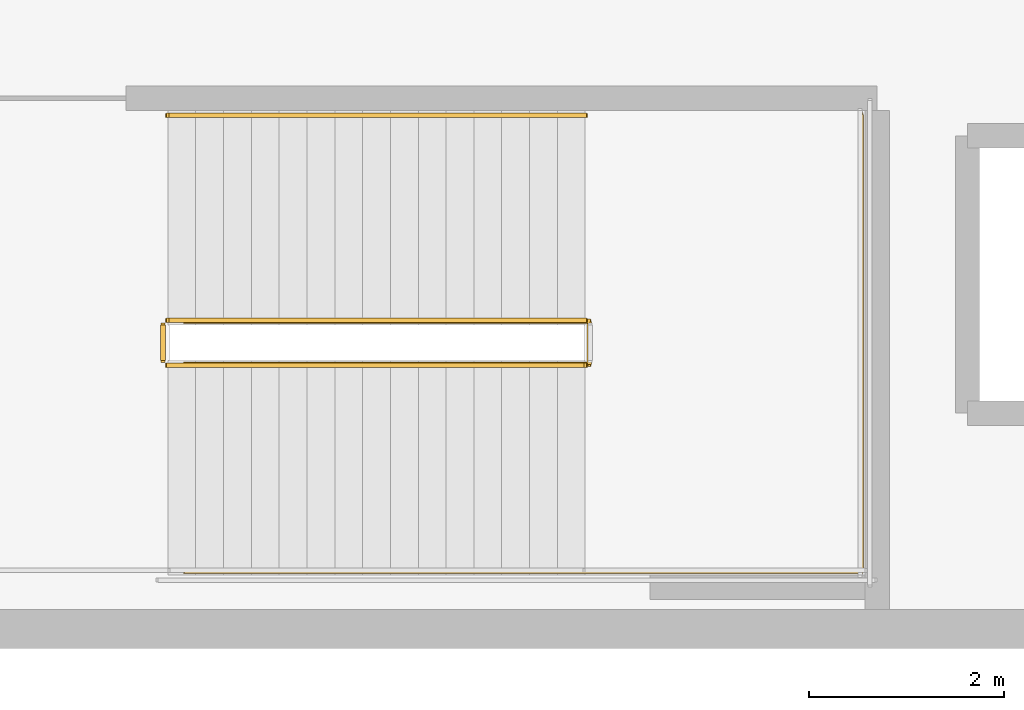
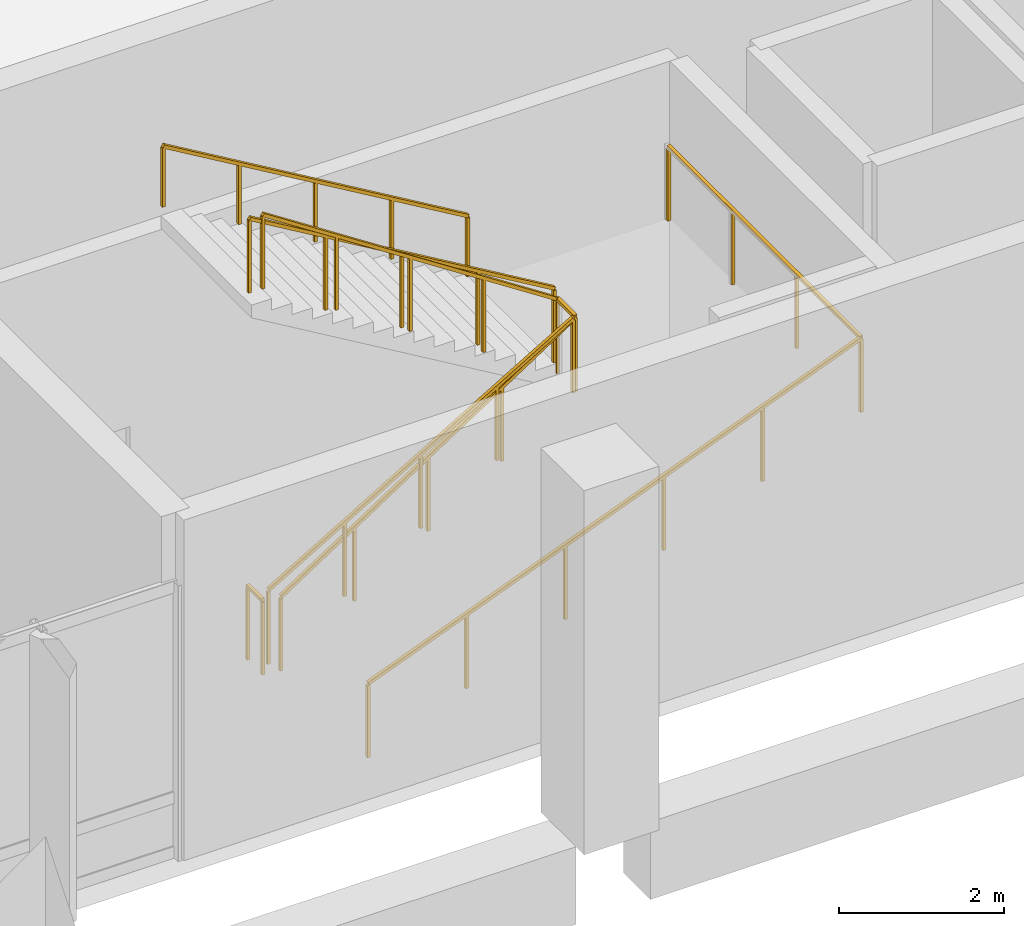
# One storey, part 162 of 176: 6 railings.
"""IFC4 building model written with IfcOpenShell, lengths in metres."""

from ifc_helpers import new_model, si_unit, direction, frame, origin, origin_2d, place, context, subcontext, project, spatial, rectangle, extrude, material, type_object, element, save


model = new_model("IFC4")

# Units and contexts
model_context = context("Model", 3, precision=1e-05, world=origin(), true_north=direction((0.0, 1.0)))
body_context = subcontext(model_context, "Body", "Model", "MODEL_VIEW")
ifc_project = project(units=[si_unit("LENGTHUNIT", "METRE"), si_unit("AREAUNIT", "SQUARE_METRE"), si_unit("VOLUMEUNIT", "CUBIC_METRE"), si_unit("PLANEANGLEUNIT", "RADIAN"), si_unit("MASSUNIT", "GRAM", prefix="KILO")], contexts=[model_context])

# Site, building, storey
site_placement = place(None, origin())
site = spatial("IfcSite", under=ifc_project, at=site_placement, CompositionType="ELEMENT")
building_placement = place(site_placement, origin())
building = spatial("IfcBuilding", under=site, at=building_placement, Name="Khorjan Park Terminus", CompositionType="ELEMENT")
storey_placement = place(building_placement, frame((0.0, 0.0, 6.0)))
storey = spatial("IfcBuildingStorey", under=building, at=storey_placement, Name="L01", CompositionType="ELEMENT", Elevation=6.0)

# Railings
ifc_material = material(Name="Steel S355", Category="steel")
railing_type_1 = type_object("IfcRailingType", Name="GR-112", PredefinedType="GUARDRAIL", material=ifc_material)
railing_1_placement = place(storey_placement, frame((118.06, 30.7, 0.1688)))
element("IfcRailing", 1, at=railing_1_placement, inside=storey, type_object=railing_type_1, Name="L01 ST-02 stair guard 1", PredefinedType="GUARDRAIL", context=body_context, shape_type="SweptSolid", body=[
    extrude(rectangle(XDim=0.048, YDim=0.048, at=origin_2d()), frame((0.0, 0.0, 1.096), z_axis=(0.860479801158, 0.0, 0.509484555015), x_axis=(0.0, 1.0, 0.0)), (0.0, 0.0, 1.0), 4.9682),
    extrude(rectangle(XDim=0.042, YDim=0.042, at=origin_2d()), origin(), (0.0, 0.0, 1.0), 1.072),
    extrude(rectangle(XDim=0.042, YDim=0.042, at=origin_2d()), frame((1.0687, 0.0, 0.6328)), (0.0, 0.0, 1.0), 1.072),
    extrude(rectangle(XDim=0.042, YDim=0.042, at=origin_2d()), frame((2.1375, 0.0, 1.2656)), (0.0, 0.0, 1.0), 1.072),
    extrude(rectangle(XDim=0.042, YDim=0.042, at=origin_2d()), frame((3.2062, 0.0, 1.8984)), (0.0, 0.0, 1.0), 1.072),
    extrude(rectangle(XDim=0.042, YDim=0.042, at=origin_2d()), frame((4.275, 0.0, 2.5312)), (0.0, 0.0, 1.0), 1.072),
])
railing_2_placement = place(storey_placement, frame((122.335, 31.16, 2.8688)))
element("IfcRailing", 2, at=railing_2_placement, inside=storey, type_object=railing_type_1, Name="L01 ST-02 stair guard 5", PredefinedType="GUARDRAIL", context=body_context, shape_type="SweptSolid", body=[
    extrude(rectangle(XDim=0.048, YDim=0.048, at=origin_2d()), frame((0.0, 0.0, 1.096), z_axis=(-0.860479801158, 0.0, 0.509484555015), x_axis=(0.0, -1.0, 0.0)), (0.0, 0.0, 1.0), 4.9682),
    extrude(rectangle(XDim=0.042, YDim=0.042, at=origin_2d()), origin(), (0.0, 0.0, 1.0), 1.072),
    extrude(rectangle(XDim=0.042, YDim=0.042, at=origin_2d()), frame((-1.0687, 0.0, 0.6328)), (0.0, 0.0, 1.0), 1.072),
    extrude(rectangle(XDim=0.042, YDim=0.042, at=origin_2d()), frame((-2.1375, 0.0, 1.2656)), (0.0, 0.0, 1.0), 1.072),
    extrude(rectangle(XDim=0.042, YDim=0.042, at=origin_2d()), frame((-3.2062, 0.0, 1.8984)), (0.0, 0.0, 1.0), 1.072),
    extrude(rectangle(XDim=0.042, YDim=0.042, at=origin_2d()), frame((-4.275, 0.0, 2.5312)), (0.0, 0.0, 1.0), 1.072),
])
railing_3_placement = place(storey_placement, frame((118.01, 30.75, 0.0)))
element("IfcRailing", 3, at=railing_3_placement, inside=storey, type_object=railing_type_1, Name="L01 ST-02 stair guard 6", PredefinedType="GUARDRAIL", context=body_context, shape_type="SweptSolid", body=[
    extrude(rectangle(XDim=0.048, YDim=0.048, at=origin_2d()), frame((0.0, 0.0, 1.096), z_axis=(0.0, 1.0, 0.0), x_axis=(-1.0, 0.0, 0.0)), (0.0, 0.0, 1.0), 0.36),
    extrude(rectangle(XDim=0.042, YDim=0.042, at=origin_2d()), origin(), (0.0, 0.0, 1.0), 1.072),
    extrude(rectangle(XDim=0.042, YDim=0.042, at=origin_2d()), frame((0.0, 0.36, 0.0)), (0.0, 0.0, 1.0), 1.072),
])
railing_4_placement = place(storey_placement, frame((118.24, 30.71, 0.0)))
element("IfcRailing", 4, at=railing_4_placement, inside=storey, type_object=railing_type_1, Name="Core K2 stair well slot guard GR-112 (L01)", PredefinedType="GUARDRAIL", context=body_context, shape_type="SweptSolid", body=[
    extrude(rectangle(XDim=0.048, YDim=0.048, at=origin_2d()), frame((0.0, 0.0, 1.096), z_axis=(0.837308340656, 0.0, 0.546730960041), x_axis=(0.0, 1.0, 0.0)), (0.0, 0.0, 1.0), 4.9384),
    extrude(rectangle(XDim=0.048, YDim=0.048, at=origin_2d()), frame((4.135, 0.0, 3.796), z_axis=(0.0, 1.0, 0.0), x_axis=(-1.0, 0.0, 0.0)), (0.0, 0.0, 1.0), 0.44),
    extrude(rectangle(XDim=0.048, YDim=0.048, at=origin_2d()), frame((4.135, 0.44, 3.796), z_axis=(-0.837308340656, 0.0, 0.546730960041), x_axis=(0.0, -1.0, 0.0)), (0.0, 0.0, 1.0), 4.9384),
    extrude(rectangle(XDim=0.042, YDim=0.042, at=origin_2d()), origin(), (0.0, 0.0, 1.0), 1.072),
    extrude(rectangle(XDim=0.042, YDim=0.042, at=origin_2d()), frame((1.0338, 0.0, 0.675)), (0.0, 0.0, 1.0), 1.072),
    extrude(rectangle(XDim=0.042, YDim=0.042, at=origin_2d()), frame((2.0675, 0.0, 1.35)), (0.0, 0.0, 1.0), 1.072),
    extrude(rectangle(XDim=0.042, YDim=0.042, at=origin_2d()), frame((3.1013, 0.0, 2.025)), (0.0, 0.0, 1.0), 1.072),
    extrude(rectangle(XDim=0.042, YDim=0.042, at=origin_2d()), frame((4.135, 0.0, 2.7)), (0.0, 0.0, 1.0), 1.072),
    extrude(rectangle(XDim=0.042, YDim=0.042, at=origin_2d()), frame((4.135, 0.44, 2.7)), (0.0, 0.0, 1.0), 1.072),
    extrude(rectangle(XDim=0.042, YDim=0.042, at=origin_2d()), frame((3.1013, 0.44, 3.375)), (0.0, 0.0, 1.0), 1.072),
    extrude(rectangle(XDim=0.042, YDim=0.042, at=origin_2d()), frame((2.0675, 0.44, 4.05)), (0.0, 0.0, 1.0), 1.072),
    extrude(rectangle(XDim=0.042, YDim=0.042, at=origin_2d()), frame((1.0338, 0.44, 4.725)), (0.0, 0.0, 1.0), 1.072),
    extrude(rectangle(XDim=0.042, YDim=0.042, at=origin_2d()), frame((0.0, 0.44, 5.4)), (0.0, 0.0, 1.0), 1.072),
])
railing_5_placement = place(storey_placement, frame((118.24, 28.59, 0.0)))
element("IfcRailing", 5, at=railing_5_placement, inside=storey, type_object=railing_type_1, Name="Core K2 stair side & landing guard GR-112 (L01)", PredefinedType="GUARDRAIL", context=body_context, shape_type="SweptSolid", body=[
    extrude(rectangle(XDim=0.048, YDim=0.048, at=origin_2d()), frame((0.0, 0.0, 1.096), z_axis=(0.931599858197, 0.0, 0.363485493805), x_axis=(0.0, 1.0, 0.0)), (0.0, 0.0, 1.0), 7.4281),
    extrude(rectangle(XDim=0.048, YDim=0.048, at=origin_2d()), frame((6.92, 0.0, 3.796), z_axis=(0.0, 1.0, 0.0), x_axis=(-1.0, 0.0, 0.0)), (0.0, 0.0, 1.0), 4.68),
    extrude(rectangle(XDim=0.042, YDim=0.042, at=origin_2d()), origin(), (0.0, 0.0, 1.0), 1.072),
    extrude(rectangle(XDim=0.042, YDim=0.042, at=origin_2d()), frame((1.384, 0.0, 0.54)), (0.0, 0.0, 1.0), 1.072),
    extrude(rectangle(XDim=0.042, YDim=0.042, at=origin_2d()), frame((2.768, 0.0, 1.08)), (0.0, 0.0, 1.0), 1.072),
    extrude(rectangle(XDim=0.042, YDim=0.042, at=origin_2d()), frame((4.152, 0.0, 1.62)), (0.0, 0.0, 1.0), 1.072),
    extrude(rectangle(XDim=0.042, YDim=0.042, at=origin_2d()), frame((5.536, 0.0, 2.16)), (0.0, 0.0, 1.0), 1.072),
    extrude(rectangle(XDim=0.042, YDim=0.042, at=origin_2d()), frame((6.92, 0.0, 2.7)), (0.0, 0.0, 1.0), 1.072),
    extrude(rectangle(XDim=0.042, YDim=0.042, at=origin_2d()), frame((6.92, 1.56, 2.7)), (0.0, 0.0, 1.0), 1.072),
    extrude(rectangle(XDim=0.042, YDim=0.042, at=origin_2d()), frame((6.92, 3.12, 2.7)), (0.0, 0.0, 1.0), 1.072),
    extrude(rectangle(XDim=0.042, YDim=0.042, at=origin_2d()), frame((6.92, 4.68, 2.7)), (0.0, 0.0, 1.0), 1.072),
])
railing_type_2 = type_object("IfcRailingType", Name="HR-92", PredefinedType="HANDRAIL", material=ifc_material)
railing_6_placement = place(storey_placement, frame((122.335, 33.26, 2.8688)))
element("IfcRailing", 6, at=railing_6_placement, inside=storey, type_object=railing_type_2, Name="L01 ST-02 stair handrail 2", PredefinedType="HANDRAIL", context=body_context, shape_type="SweptSolid", body=[
    extrude(rectangle(XDim=0.048, YDim=0.048, at=origin_2d()), frame((0.0, 0.0, 0.896), z_axis=(-0.860479801158, 0.0, 0.509484555015), x_axis=(0.0, -1.0, 0.0)), (0.0, 0.0, 1.0), 4.9682),
    extrude(rectangle(XDim=0.042, YDim=0.042, at=origin_2d()), origin(), (0.0, 0.0, 1.0), 0.872),
    extrude(rectangle(XDim=0.042, YDim=0.042, at=origin_2d()), frame((-1.0687, 0.0, 0.6328)), (0.0, 0.0, 1.0), 0.872),
    extrude(rectangle(XDim=0.042, YDim=0.042, at=origin_2d()), frame((-2.1375, 0.0, 1.2656)), (0.0, 0.0, 1.0), 0.872),
    extrude(rectangle(XDim=0.042, YDim=0.042, at=origin_2d()), frame((-3.2062, 0.0, 1.8984)), (0.0, 0.0, 1.0), 0.872),
    extrude(rectangle(XDim=0.042, YDim=0.042, at=origin_2d()), frame((-4.275, 0.0, 2.5312)), (0.0, 0.0, 1.0), 0.872),
])

save(model, "model.ifc")
